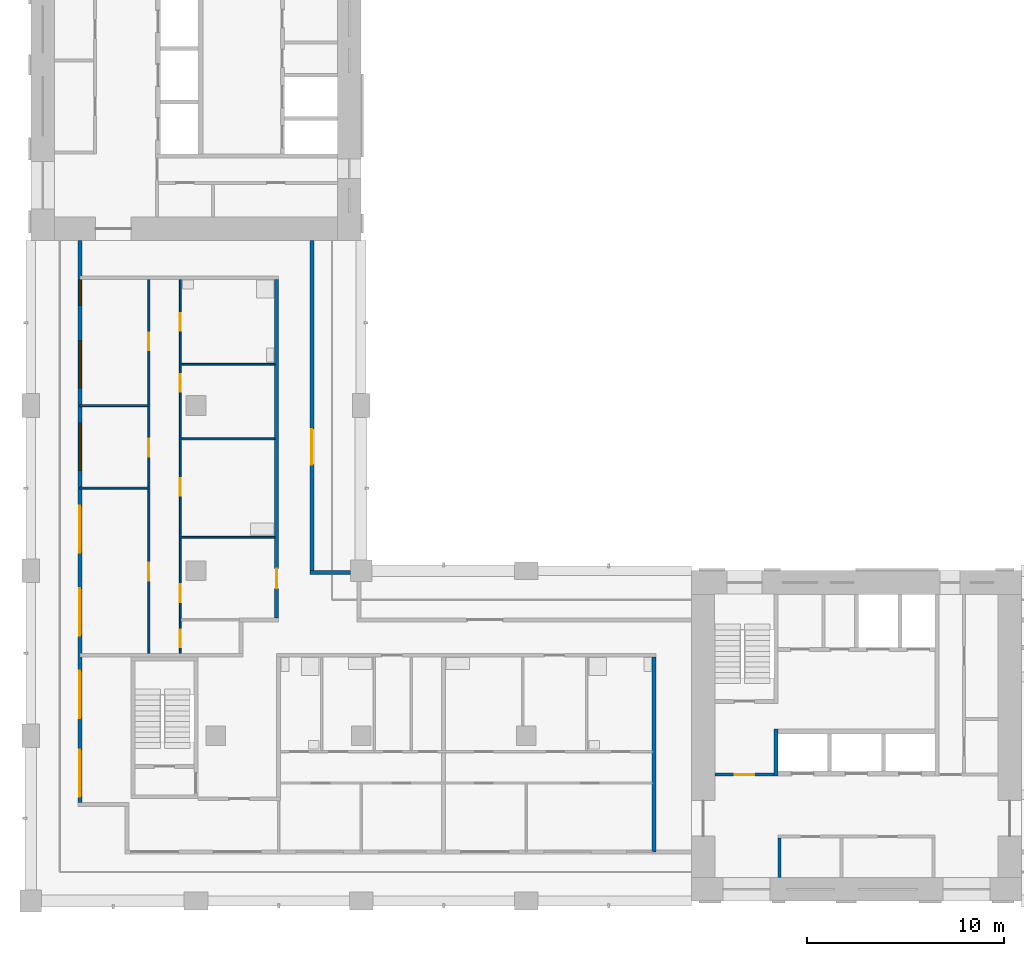
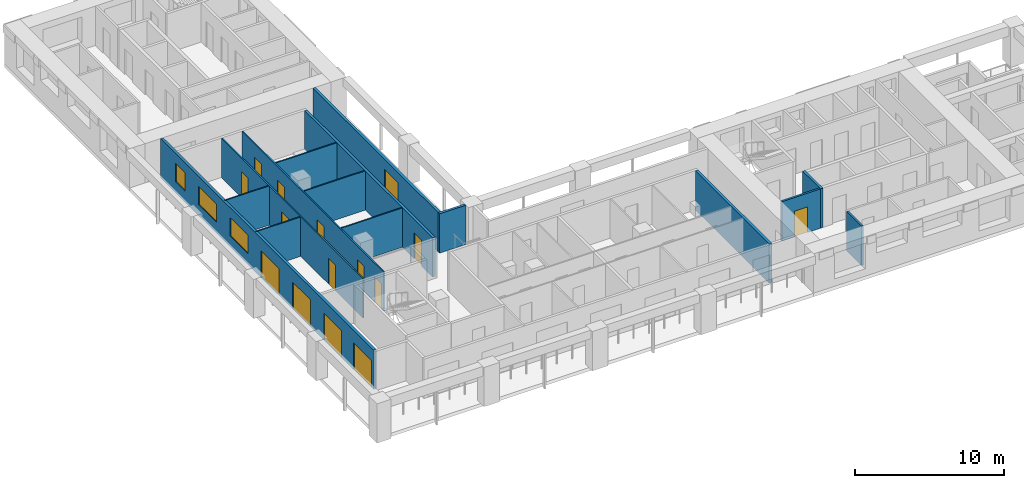
# One storey, part 3 of 11: 15 doors, 15 walls, 3 windows, 18 openings.
"""IFC4 building model written with IfcOpenShell, lengths in metres."""

from ifc_helpers import new_model, si_unit, direction, frame, frame_2d, origin, place, context, subcontext, project, spatial, rectangle, extrude, material, layer, layer_set, type_object, element, fill, save


model = new_model("IFC4")

# Units and contexts
model_context = context("Model", 3, precision=1e-05, world=origin(), true_north=direction((0.0, 1.0)))
body_context = subcontext(model_context, "Body", "Model", "MODEL_VIEW")
ifc_project = project(units=[si_unit("LENGTHUNIT", "METRE"), si_unit("AREAUNIT", "SQUARE_METRE"), si_unit("VOLUMEUNIT", "CUBIC_METRE"), si_unit("PLANEANGLEUNIT", "RADIAN"), si_unit("MASSUNIT", "GRAM", prefix="KILO")], contexts=[model_context])

# Site, building, storey
site_placement = place(None, origin())
site = spatial("IfcSite", under=ifc_project, at=site_placement, CompositionType="ELEMENT")
building_placement = place(site_placement, origin())
building = spatial("IfcBuilding", under=site, at=building_placement, Name="Vermilion Gate Residences", CompositionType="ELEMENT")
storey_placement = place(building_placement, frame((0.0, 0.0, 200.199951171875)))
storey = spatial("IfcBuildingStorey", under=building, at=storey_placement, Name="L52", CompositionType="ELEMENT", Elevation=200.199951171875)

# Wall
ifc_material_1 = material(Name="Masonry blockwork", Category="masonry")
ifc_layer_1 = layer(ifc_material_1, 0.14990234375)
ifc_layer_set_1 = layer_set([ifc_layer_1], Name="BLOCKWORK PARTITION 150 EI 120")
wall_type_1 = type_object("IfcWallType", Name="BLOCKWORK PARTITION 150 EI 120", PredefinedType="PARTITIONING", material=ifc_layer_set_1)
wall_1_placement = place(storey_placement, frame((46.47509765625, 9.60009765625, 0.0), z_axis=(0.0, 0.0, 1.0), x_axis=(0.0, 1.0, 0.0)))
element("IfcWall", 1, at=wall_1_placement, inside=storey, type_object=wall_type_1, Name="Core room partition A52-RW-W", PredefinedType="PARTITIONING", context=body_context, shape_type="SweptSolid", body=[
    extrude(rectangle(XDim=2.0, YDim=0.14990234375, at=frame_2d((1.0, 0.0))), origin(), (0.0, 0.0, 1.0), 3.219970703125),
])

# Wall, opening, door
wall_2_placement = place(storey_placement, frame((43.199951171875, 14.824951171875, 0.0), z_axis=(0.0, 0.0, 1.0), x_axis=(1.0, 0.0, 0.0)))
wall_2 = element("IfcWall", 2, at=wall_2_placement, inside=storey, type_object=wall_type_1, Name="Core room partition A52-VW-S", PredefinedType="PARTITIONING", context=body_context, shape_type="SweptSolid", body=[
    extrude(rectangle(XDim=3.0, YDim=0.14990234375, at=frame_2d((1.5, 0.0))), origin(), (0.0, 0.0, 1.0), 3.219970703125),
])
opening_1_placement = place(wall_2_placement, frame((1.0, 0.0, 0.0)))
opening_1 = element("IfcOpeningElement", 3, at=opening_1_placement, cuts=wall_2, Name="Opening DK52012", PredefinedType="OPENING", context=body_context, shape_type="SweptSolid", body=[
    extrude(rectangle(XDim=1.0, YDim=2.10009765625, at=frame_2d((0.5, 1.050048828125))), frame((0.0, 0.0849609375, 0.0), z_axis=(0.0, -1.0, 0.0), x_axis=(1.0, 0.0, 0.0)), (0.0, 0.0, 1.0), 0.169921875),
])
ifc_material_2 = material(Name="Steel", Category="steel")
door_type_1 = type_object("IfcDoorType", Name="FIRE DOOR FD60 1000 X 2100", OperationType="SINGLE_SWING_LEFT", PredefinedType="DOOR", material=ifc_material_2)
door_1_placement = place(opening_1_placement, frame((1.0, 0.0, 0.0), z_axis=(0.0, 0.0, 1.0), x_axis=(-1.0, 0.0, 0.0)))
door_1 = element("IfcDoor", 4, at=door_1_placement, inside=storey, type_object=door_type_1, Name="Stair vestibule door A52", OperationType="SINGLE_SWING_RIGHT", OverallHeight=2.10009765625, OverallWidth=1.0, PredefinedType="DOOR", context=body_context, shape_type="SweptSolid", body=[
    extrude(rectangle(XDim=1.0, YDim=2.10009765625, at=frame_2d((0.5, 1.050048828125))), frame((0.0, 0.02490234375, 0.0), z_axis=(0.0, -1.0, 0.0), x_axis=(1.0, 0.0, 0.0)), (0.0, 0.0, 1.0), 0.050048828125),
])
fill(opening_1, door_1)

# Wall, openings, doors, windows
ifc_material_3 = material(Name="Insulated steel stud wall with terracotta rainscreen", Category="masonry")
ifc_layer_2 = layer(ifc_material_3, 0.199951171875)
ifc_layer_set_2 = layer_set([ifc_layer_2], Name="EXTERNAL WALL 200 TERRACOTTA RAINSCREEN")
wall_type_2 = type_object("IfcWallType", Name="EXTERNAL WALL 200 TERRACOTTA RAINSCREEN", PredefinedType="SOLIDWALL", material=ifc_layer_set_2)
wall_3_placement = place(storey_placement, frame((10.89990234375, 42.0, 0.0), z_axis=(0.0, 0.0, 1.0), x_axis=(0.0, -1.0, 0.0)))
wall_3 = element("IfcWall", 5, at=wall_3_placement, inside=storey, type_object=wall_type_2, Name="External wall", PredefinedType="SOLIDWALL", context=body_context, shape_type="SweptSolid", body=[
    extrude(rectangle(XDim=28.60009765625, YDim=0.199951171875, at=frame_2d((14.300048828125, 0.0))), origin(), (0.0, 0.0, 1.0), 3.219970703125),
])
opening_2_placement = place(wall_3_placement, frame((25.89990234375, 0.0, 0.0)))
opening_2 = element("IfcOpeningElement", 6, at=opening_2_placement, cuts=wall_3, Name="Opening DE52001", PredefinedType="OPENING", context=body_context, shape_type="SweptSolid", body=[
    extrude(rectangle(XDim=2.39990234375, YDim=2.199951171875, at=frame_2d((1.199951171875, 1.10009765625))), frame((0.0, 0.10986328125, 0.0), z_axis=(0.0, -1.0, 0.0), x_axis=(1.0, 0.0, 0.0)), (0.0, 0.0, 1.0), 0.219970703125),
])
opening_3_placement = place(wall_3_placement, frame((21.89990234375, 0.0, 0.0)))
opening_3 = element("IfcOpeningElement", 7, at=opening_3_placement, cuts=wall_3, Name="Opening DE52002", PredefinedType="OPENING", context=body_context, shape_type="SweptSolid", body=[
    extrude(rectangle(XDim=2.39990234375, YDim=2.199951171875, at=frame_2d((1.199951171875, 1.10009765625))), frame((0.0, 0.10986328125, 0.0), z_axis=(0.0, -1.0, 0.0), x_axis=(1.0, 0.0, 0.0)), (0.0, 0.0, 1.0), 0.219970703125),
])
opening_4_placement = place(wall_3_placement, frame((17.699951171875, 0.0, 0.0)))
opening_4 = element("IfcOpeningElement", 8, at=opening_4_placement, cuts=wall_3, Name="Opening DE52003", PredefinedType="OPENING", context=body_context, shape_type="SweptSolid", body=[
    extrude(rectangle(XDim=2.39990234375, YDim=2.199951171875, at=frame_2d((1.199951171875, 1.10009765625))), frame((0.0, 0.10986328125, 0.0), z_axis=(0.0, -1.0, 0.0), x_axis=(1.0, 0.0, 0.0)), (0.0, 0.0, 1.0), 0.219970703125),
])
opening_5_placement = place(wall_3_placement, frame((13.5, 0.0, 0.0)))
opening_5 = element("IfcOpeningElement", 9, at=opening_5_placement, cuts=wall_3, Name="Opening DE52004", PredefinedType="OPENING", context=body_context, shape_type="SweptSolid", body=[
    extrude(rectangle(XDim=2.39990234375, YDim=2.199951171875, at=frame_2d((1.199951171875, 1.10009765625))), frame((0.0, 0.10986328125, 0.0), z_axis=(0.0, -1.0, 0.0), x_axis=(1.0, 0.0, 0.0)), (0.0, 0.0, 1.0), 0.219970703125),
])
opening_6_placement = place(wall_3_placement, frame((9.300048828125, 0.0, 0.89990234375)))
opening_6 = element("IfcOpeningElement", 10, at=opening_6_placement, cuts=wall_3, Name="Opening WE52005", PredefinedType="OPENING", context=body_context, shape_type="SweptSolid", body=[
    extrude(rectangle(XDim=2.39990234375, YDim=1.5, at=frame_2d((1.199951171875, 0.75))), frame((0.0, 0.10986328125, 0.0), z_axis=(0.0, -1.0, 0.0), x_axis=(1.0, 0.0, 0.0)), (0.0, 0.0, 1.0), 0.219970703125),
])
opening_7_placement = place(wall_3_placement, frame((5.10009765625, 0.0, 0.89990234375)))
opening_7 = element("IfcOpeningElement", 11, at=opening_7_placement, cuts=wall_3, Name="Opening WE52006", PredefinedType="OPENING", context=body_context, shape_type="SweptSolid", body=[
    extrude(rectangle(XDim=2.39990234375, YDim=1.5, at=frame_2d((1.199951171875, 0.75))), frame((0.0, 0.10986328125, 0.0), z_axis=(0.0, -1.0, 0.0), x_axis=(1.0, 0.0, 0.0)), (0.0, 0.0, 1.0), 0.219970703125),
])
opening_8_placement = place(wall_3_placement, frame((2.0, 0.0, 0.89990234375)))
opening_8 = element("IfcOpeningElement", 12, at=opening_8_placement, cuts=wall_3, Name="Opening WE52007", PredefinedType="OPENING", context=body_context, shape_type="SweptSolid", body=[
    extrude(rectangle(XDim=1.300048828125, YDim=1.5, at=frame_2d((0.64990234375, 0.75))), frame((0.0, 0.10986328125, 0.0), z_axis=(0.0, -1.0, 0.0), x_axis=(1.0, 0.0, 0.0)), (0.0, 0.0, 1.0), 0.219970703125),
])
ifc_material_4 = material(Name="Aluminium and clear glass", Category="aluminium")
door_type_2 = type_object("IfcDoorType", Name="SLIDING GLAZED DOOR 2400 X 2200", OperationType="DOUBLE_DOOR_SLIDING", PredefinedType="DOOR", material=ifc_material_4)
door_2_placement = place(opening_2_placement, origin())
door_2 = element("IfcDoor", 13, at=door_2_placement, inside=storey, type_object=door_type_2, Name="Loggia sliding door", OperationType="DOUBLE_DOOR_SLIDING", OverallHeight=2.199951171875, OverallWidth=2.39990234375, PredefinedType="DOOR", context=body_context, shape_type="SweptSolid", body=[
    extrude(rectangle(XDim=2.39990234375, YDim=2.199951171875, at=frame_2d((1.199951171875, 1.10009765625))), frame((0.0, 0.02490234375, 0.0), z_axis=(0.0, -1.0, 0.0), x_axis=(1.0, 0.0, 0.0)), (0.0, 0.0, 1.0), 0.050048828125),
])
fill(opening_2, door_2)
door_3_placement = place(opening_3_placement, origin())
door_3 = element("IfcDoor", 14, at=door_3_placement, inside=storey, type_object=door_type_2, Name="Loggia sliding door", OperationType="DOUBLE_DOOR_SLIDING", OverallHeight=2.199951171875, OverallWidth=2.39990234375, PredefinedType="DOOR", context=body_context, shape_type="SweptSolid", body=[
    extrude(rectangle(XDim=2.39990234375, YDim=2.199951171875, at=frame_2d((1.199951171875, 1.10009765625))), frame((0.0, 0.02490234375, 0.0), z_axis=(0.0, -1.0, 0.0), x_axis=(1.0, 0.0, 0.0)), (0.0, 0.0, 1.0), 0.050048828125),
])
fill(opening_3, door_3)
door_4_placement = place(opening_4_placement, origin())
door_4 = element("IfcDoor", 15, at=door_4_placement, inside=storey, type_object=door_type_2, Name="Loggia sliding door", OperationType="DOUBLE_DOOR_SLIDING", OverallHeight=2.199951171875, OverallWidth=2.39990234375, PredefinedType="DOOR", context=body_context, shape_type="SweptSolid", body=[
    extrude(rectangle(XDim=2.39990234375, YDim=2.199951171875, at=frame_2d((1.199951171875, 1.10009765625))), frame((0.0, 0.02490234375, 0.0), z_axis=(0.0, -1.0, 0.0), x_axis=(1.0, 0.0, 0.0)), (0.0, 0.0, 1.0), 0.050048828125),
])
fill(opening_4, door_4)
door_5_placement = place(opening_5_placement, origin())
door_5 = element("IfcDoor", 16, at=door_5_placement, inside=storey, type_object=door_type_2, Name="Loggia sliding door", OperationType="DOUBLE_DOOR_SLIDING", OverallHeight=2.199951171875, OverallWidth=2.39990234375, PredefinedType="DOOR", context=body_context, shape_type="SweptSolid", body=[
    extrude(rectangle(XDim=2.39990234375, YDim=2.199951171875, at=frame_2d((1.199951171875, 1.10009765625))), frame((0.0, 0.02490234375, 0.0), z_axis=(0.0, -1.0, 0.0), x_axis=(1.0, 0.0, 0.0)), (0.0, 0.0, 1.0), 0.050048828125),
])
fill(opening_5, door_5)
ifc_material_5 = material(Name="Aluminium and clear glass", Category="aluminium")
window_type_1 = type_object("IfcWindowType", Name="WINDOW 1300 X 1500", PartitioningType="SINGLE_PANEL", PredefinedType="WINDOW", material=ifc_material_5)
window_1_placement = place(opening_8_placement, origin())
window_1 = element("IfcWindow", 17, at=window_1_placement, inside=storey, type_object=window_type_1, Name="Window", OverallHeight=1.5, OverallWidth=1.300048828125, PartitioningType="SINGLE_PANEL", PredefinedType="WINDOW", context=body_context, shape_type="SweptSolid", body=[
    extrude(rectangle(XDim=1.300048828125, YDim=1.5, at=frame_2d((0.64990234375, 0.75))), frame((0.0, 0.030029296875, 0.0), z_axis=(0.0, -1.0, 0.0), x_axis=(1.0, 0.0, 0.0)), (0.0, 0.0, 1.0), 0.06005859375),
])
fill(opening_8, window_1)
ifc_material_6 = material(Name="Aluminium and clear glass", Category="aluminium")
window_type_2 = type_object("IfcWindowType", Name="WINDOW 2400 X 1500", PartitioningType="SINGLE_PANEL", PredefinedType="WINDOW", material=ifc_material_6)
window_2_placement = place(opening_6_placement, origin())
window_2 = element("IfcWindow", 18, at=window_2_placement, inside=storey, type_object=window_type_2, Name="Window", OverallHeight=1.5, OverallWidth=2.39990234375, PartitioningType="SINGLE_PANEL", PredefinedType="WINDOW", context=body_context, shape_type="SweptSolid", body=[
    extrude(rectangle(XDim=2.39990234375, YDim=1.5, at=frame_2d((1.199951171875, 0.75))), frame((0.0, 0.030029296875, 0.0), z_axis=(0.0, -1.0, 0.0), x_axis=(1.0, 0.0, 0.0)), (0.0, 0.0, 1.0), 0.06005859375),
])
fill(opening_6, window_2)
window_3_placement = place(opening_7_placement, origin())
window_3 = element("IfcWindow", 19, at=window_3_placement, inside=storey, type_object=window_type_2, Name="Window", OverallHeight=1.5, OverallWidth=2.39990234375, PartitioningType="SINGLE_PANEL", PredefinedType="WINDOW", context=body_context, shape_type="SweptSolid", body=[
    extrude(rectangle(XDim=2.39990234375, YDim=1.5, at=frame_2d((1.199951171875, 0.75))), frame((0.0, 0.030029296875, 0.0), z_axis=(0.0, -1.0, 0.0), x_axis=(1.0, 0.0, 0.0)), (0.0, 0.0, 1.0), 0.06005859375),
])
fill(opening_7, window_3)

# Wall
wall_4_placement = place(storey_placement, frame((24.64990234375, 25.10009765625, 0.0), z_axis=(0.0, 0.0, 1.0), x_axis=(-1.0, 0.0, 0.0)))
element("IfcWall", 20, at=wall_4_placement, inside=storey, type_object=wall_type_2, Name="External wall", PredefinedType="SOLIDWALL", context=body_context, shape_type="SweptSolid", body=[
    extrude(rectangle(XDim=2.0498046875, YDim=0.199951171875, at=frame_2d((1.02490234375, 0.0))), origin(), (0.0, 0.0, 1.0), 3.219970703125),
])

# Wall, opening, door
wall_5_placement = place(storey_placement, frame((22.699951171875, 25.199951171875, 0.0), z_axis=(0.0, 0.0, 1.0), x_axis=(0.0, 1.0, 0.0)))
wall_5 = element("IfcWall", 21, at=wall_5_placement, inside=storey, type_object=wall_type_2, Name="External wall", PredefinedType="SOLIDWALL", context=body_context, shape_type="SweptSolid", body=[
    extrude(rectangle(XDim=16.800048828125, YDim=0.199951171875, at=frame_2d((8.39990234375, 0.0))), origin(), (0.0, 0.0, 1.0), 3.219970703125),
])
opening_9_placement = place(wall_5_placement, frame((5.39990234375, 0.0, 0.0)))
opening_9 = element("IfcOpeningElement", 22, at=opening_9_placement, cuts=wall_5, Name="Opening DE52021", PredefinedType="OPENING", context=body_context, shape_type="SweptSolid", body=[
    extrude(rectangle(XDim=1.800048828125, YDim=2.39990234375, at=frame_2d((0.89990234375, 1.199951171875))), frame((0.0, 0.10986328125, 0.0), z_axis=(0.0, -1.0, 0.0), x_axis=(1.0, 0.0, 0.0)), (0.0, 0.0, 1.0), 0.219970703125),
])
ifc_material_7 = material(Name="Aluminium and clear glass", Category="aluminium")
door_type_3 = type_object("IfcDoorType", Name="GLAZED EXTERNAL DOOR 1800 X 2400", OperationType="DOUBLE_DOOR_SINGLE_SWING", PredefinedType="DOOR", material=ifc_material_7)
door_6_placement = place(opening_9_placement, frame((1.800048828125, 0.0, 0.0), z_axis=(0.0, 0.0, 1.0), x_axis=(-1.0, 0.0, 0.0)))
door_6 = element("IfcDoor", 23, at=door_6_placement, inside=storey, type_object=door_type_3, Name="Gallery door", OperationType="DOUBLE_DOOR_SINGLE_SWING", OverallHeight=2.39990234375, OverallWidth=1.800048828125, PredefinedType="DOOR", context=body_context, shape_type="SweptSolid", body=[
    extrude(rectangle(XDim=1.800048828125, YDim=2.39990234375, at=frame_2d((0.89990234375, 1.199951171875))), frame((0.0, 0.02490234375, 0.0), z_axis=(0.0, -1.0, 0.0), x_axis=(1.0, 0.0, 0.0)), (0.0, 0.0, 1.0), 0.050048828125),
])
fill(opening_9, door_6)

# Walls
ifc_material_8 = material(Name="Plasterboard on steel studs", Category="steel")
ifc_layer_3 = layer(ifc_material_8, 0.10009765625)
ifc_layer_set_3 = layer_set([ifc_layer_3], Name="PARTITION 100")
wall_type_3 = type_object("IfcWallType", Name="PARTITION 100", PredefinedType="PARTITIONING", material=ifc_layer_set_3)
wall_6_placement = place(storey_placement, frame((16.050048828125, 26.89990234375, 0.0), z_axis=(0.0, 0.0, 1.0), x_axis=(1.0, 0.0, 0.0)))
element("IfcWall", 24, at=wall_6_placement, inside=storey, type_object=wall_type_3, Name="Partition", PredefinedType="PARTITIONING", context=body_context, shape_type="SweptSolid", body=[
    extrude(rectangle(XDim=4.75, YDim=0.10009765625, at=frame_2d((2.375, 0.0))), origin(), (0.0, 0.0, 1.0), 3.219970703125),
])
wall_7_placement = place(storey_placement, frame((10.89990234375, 29.39990234375, 0.0), z_axis=(0.0, 0.0, 1.0), x_axis=(1.0, 0.0, 0.0)))
element("IfcWall", 25, at=wall_7_placement, inside=storey, type_object=wall_type_3, Name="Partition", PredefinedType="PARTITIONING", context=body_context, shape_type="SweptSolid", body=[
    extrude(rectangle(XDim=3.4501953125, YDim=0.10009765625, at=frame_2d((1.72509765625, 0.0))), origin(), (0.0, 0.0, 1.0), 3.219970703125),
])
wall_8_placement = place(storey_placement, frame((16.050048828125, 31.89990234375, 0.0), z_axis=(0.0, 0.0, 1.0), x_axis=(1.0, 0.0, 0.0)))
element("IfcWall", 26, at=wall_8_placement, inside=storey, type_object=wall_type_3, Name="Partition", PredefinedType="PARTITIONING", context=body_context, shape_type="SweptSolid", body=[
    extrude(rectangle(XDim=4.75, YDim=0.10009765625, at=frame_2d((2.375, 0.0))), origin(), (0.0, 0.0, 1.0), 3.219970703125),
])
wall_9_placement = place(storey_placement, frame((10.89990234375, 33.60009765625, 0.0), z_axis=(0.0, 0.0, 1.0), x_axis=(1.0, 0.0, 0.0)))
element("IfcWall", 27, at=wall_9_placement, inside=storey, type_object=wall_type_3, Name="Partition", PredefinedType="PARTITIONING", context=body_context, shape_type="SweptSolid", body=[
    extrude(rectangle(XDim=3.4501953125, YDim=0.10009765625, at=frame_2d((1.72509765625, 0.0))), origin(), (0.0, 0.0, 1.0), 3.219970703125),
])
wall_10_placement = place(storey_placement, frame((16.050048828125, 35.699951171875, 0.0), z_axis=(0.0, 0.0, 1.0), x_axis=(1.0, 0.0, 0.0)))
element("IfcWall", 28, at=wall_10_placement, inside=storey, type_object=wall_type_3, Name="Partition", PredefinedType="PARTITIONING", context=body_context, shape_type="SweptSolid", body=[
    extrude(rectangle(XDim=4.75, YDim=0.10009765625, at=frame_2d((2.375, 0.0))), origin(), (0.0, 0.0, 1.0), 3.219970703125),
])

# Wall, openings, doors
wall_11_placement = place(storey_placement, frame((14.39990234375, 21.0, 0.0), z_axis=(0.0, 0.0, 1.0), x_axis=(0.0, 1.0, 0.0)))
wall_11 = element("IfcWall", 29, at=wall_11_placement, inside=storey, type_object=wall_type_3, Name="Partition", PredefinedType="PARTITIONING", context=body_context, shape_type="SweptSolid", body=[
    extrude(rectangle(XDim=19.0, YDim=0.10009765625, at=frame_2d((9.5, 0.0))), origin(), (0.0, 0.0, 1.0), 3.219970703125),
])
opening_10_placement = place(wall_11_placement, frame((3.699951171875, 0.0, 0.0)))
opening_10 = element("IfcOpeningElement", 30, at=opening_10_placement, cuts=wall_11, Name="Opening DA52015", PredefinedType="OPENING", context=body_context, shape_type="SweptSolid", body=[
    extrude(rectangle(XDim=0.89990234375, YDim=2.10009765625, at=frame_2d((0.449951171875, 1.050048828125))), frame((0.0, 0.06005859375, 0.0), z_axis=(0.0, -1.0, 0.0), x_axis=(1.0, 0.0, 0.0)), (0.0, 0.0, 1.0), 0.1201171875),
])
opening_11_placement = place(wall_11_placement, frame((10.0, 0.0, 0.0)))
opening_11 = element("IfcOpeningElement", 31, at=opening_11_placement, cuts=wall_11, Name="Opening DA52016", PredefinedType="OPENING", context=body_context, shape_type="SweptSolid", body=[
    extrude(rectangle(XDim=0.89990234375, YDim=2.10009765625, at=frame_2d((0.449951171875, 1.050048828125))), frame((0.0, 0.06005859375, 0.0), z_axis=(0.0, -1.0, 0.0), x_axis=(1.0, 0.0, 0.0)), (0.0, 0.0, 1.0), 0.1201171875),
])
opening_12_placement = place(wall_11_placement, frame((15.39990234375, 0.0, 0.0)))
opening_12 = element("IfcOpeningElement", 32, at=opening_12_placement, cuts=wall_11, Name="Opening DA52017", PredefinedType="OPENING", context=body_context, shape_type="SweptSolid", body=[
    extrude(rectangle(XDim=0.89990234375, YDim=2.10009765625, at=frame_2d((0.449951171875, 1.050048828125))), frame((0.0, 0.06005859375, 0.0), z_axis=(0.0, -1.0, 0.0), x_axis=(1.0, 0.0, 0.0)), (0.0, 0.0, 1.0), 0.1201171875),
])
ifc_material_9 = material(Name="Timber", Category="wood")
door_type_4 = type_object("IfcDoorType", Name="INTERIOR DOOR 900 X 2100", OperationType="SINGLE_SWING_LEFT", PredefinedType="DOOR", material=ifc_material_9)
door_7_placement = place(opening_10_placement, origin())
door_7 = element("IfcDoor", 33, at=door_7_placement, inside=storey, type_object=door_type_4, Name="Interior door", OperationType="SINGLE_SWING_LEFT", OverallHeight=2.10009765625, OverallWidth=0.89990234375, PredefinedType="DOOR", context=body_context, shape_type="SweptSolid", body=[
    extrude(rectangle(XDim=0.89990234375, YDim=2.10009765625, at=frame_2d((0.449951171875, 1.050048828125))), frame((0.0, 0.02490234375, 0.0), z_axis=(0.0, -1.0, 0.0), x_axis=(1.0, 0.0, 0.0)), (0.0, 0.0, 1.0), 0.050048828125),
])
fill(opening_10, door_7)
door_8_placement = place(opening_11_placement, origin())
door_8 = element("IfcDoor", 34, at=door_8_placement, inside=storey, type_object=door_type_4, Name="Interior door", OperationType="SINGLE_SWING_LEFT", OverallHeight=2.10009765625, OverallWidth=0.89990234375, PredefinedType="DOOR", context=body_context, shape_type="SweptSolid", body=[
    extrude(rectangle(XDim=0.89990234375, YDim=2.10009765625, at=frame_2d((0.449951171875, 1.050048828125))), frame((0.0, 0.02490234375, 0.0), z_axis=(0.0, -1.0, 0.0), x_axis=(1.0, 0.0, 0.0)), (0.0, 0.0, 1.0), 0.050048828125),
])
fill(opening_11, door_8)
door_9_placement = place(opening_12_placement, origin())
door_9 = element("IfcDoor", 35, at=door_9_placement, inside=storey, type_object=door_type_4, Name="Interior door", OperationType="SINGLE_SWING_RIGHT", OverallHeight=2.10009765625, OverallWidth=0.89990234375, PredefinedType="DOOR", context=body_context, shape_type="SweptSolid", body=[
    extrude(rectangle(XDim=0.89990234375, YDim=2.10009765625, at=frame_2d((0.449951171875, 1.050048828125))), frame((0.0, 0.02490234375, 0.0), z_axis=(0.0, -1.0, 0.0), x_axis=(1.0, 0.0, 0.0)), (0.0, 0.0, 1.0), 0.050048828125),
])
fill(opening_12, door_9)

wall_12_placement = place(storey_placement, frame((16.0, 21.0, 0.0), z_axis=(0.0, 0.0, 1.0), x_axis=(0.0, 1.0, 0.0)))
wall_12 = element("IfcWall", 36, at=wall_12_placement, inside=storey, type_object=wall_type_3, Name="Partition", PredefinedType="PARTITIONING", context=body_context, shape_type="SweptSolid", body=[
    extrude(rectangle(XDim=19.0, YDim=0.10009765625, at=frame_2d((9.5, 0.0))), origin(), (0.0, 0.0, 1.0), 3.219970703125),
])
opening_13_placement = place(wall_12_placement, frame((2.60009765625, 0.0, 0.0)))
opening_13 = element("IfcOpeningElement", 37, at=opening_13_placement, cuts=wall_12, Name="Opening DA52018", PredefinedType="OPENING", context=body_context, shape_type="SweptSolid", body=[
    extrude(rectangle(XDim=0.89990234375, YDim=2.10009765625, at=frame_2d((0.449951171875, 1.050048828125))), frame((0.0, 0.06005859375, 0.0), z_axis=(0.0, -1.0, 0.0), x_axis=(1.0, 0.0, 0.0)), (0.0, 0.0, 1.0), 0.1201171875),
])
opening_14_placement = place(wall_12_placement, frame((0.300048828125, 0.0, 0.0)))
opening_14 = element("IfcOpeningElement", 38, at=opening_14_placement, cuts=wall_12, Name="Opening DA52019", PredefinedType="OPENING", context=body_context, shape_type="SweptSolid", body=[
    extrude(rectangle(XDim=0.89990234375, YDim=2.10009765625, at=frame_2d((0.449951171875, 1.050048828125))), frame((0.0, 0.06005859375, 0.0), z_axis=(0.0, -1.0, 0.0), x_axis=(1.0, 0.0, 0.0)), (0.0, 0.0, 1.0), 0.1201171875),
])
opening_15_placement = place(wall_12_placement, frame((8.0, 0.0, 0.0)))
opening_15 = element("IfcOpeningElement", 39, at=opening_15_placement, cuts=wall_12, Name="Opening DA52020", PredefinedType="OPENING", context=body_context, shape_type="SweptSolid", body=[
    extrude(rectangle(XDim=0.89990234375, YDim=2.10009765625, at=frame_2d((0.449951171875, 1.050048828125))), frame((0.0, 0.06005859375, 0.0), z_axis=(0.0, -1.0, 0.0), x_axis=(1.0, 0.0, 0.0)), (0.0, 0.0, 1.0), 0.1201171875),
])
opening_16_placement = place(wall_12_placement, frame((13.300048828125, 0.0, 0.0)))
opening_16 = element("IfcOpeningElement", 40, at=opening_16_placement, cuts=wall_12, Name="Opening DA52021", PredefinedType="OPENING", context=body_context, shape_type="SweptSolid", body=[
    extrude(rectangle(XDim=0.89990234375, YDim=2.10009765625, at=frame_2d((0.449951171875, 1.050048828125))), frame((0.0, 0.06005859375, 0.0), z_axis=(0.0, -1.0, 0.0), x_axis=(1.0, 0.0, 0.0)), (0.0, 0.0, 1.0), 0.1201171875),
])
opening_17_placement = place(wall_12_placement, frame((16.39990234375, 0.0, 0.0)))
opening_17 = element("IfcOpeningElement", 41, at=opening_17_placement, cuts=wall_12, Name="Opening DA52022", PredefinedType="OPENING", context=body_context, shape_type="SweptSolid", body=[
    extrude(rectangle(XDim=0.89990234375, YDim=2.10009765625, at=frame_2d((0.449951171875, 1.050048828125))), frame((0.0, 0.06005859375, 0.0), z_axis=(0.0, -1.0, 0.0), x_axis=(1.0, 0.0, 0.0)), (0.0, 0.0, 1.0), 0.1201171875),
])
door_10_placement = place(opening_13_placement, frame((0.89990234375, 0.0, 0.0), z_axis=(0.0, 0.0, 1.0), x_axis=(-1.0, 0.0, 0.0)))
door_10 = element("IfcDoor", 42, at=door_10_placement, inside=storey, type_object=door_type_4, Name="Interior door", OperationType="SINGLE_SWING_RIGHT", OverallHeight=2.10009765625, OverallWidth=0.89990234375, PredefinedType="DOOR", context=body_context, shape_type="SweptSolid", body=[
    extrude(rectangle(XDim=0.89990234375, YDim=2.10009765625, at=frame_2d((0.449951171875, 1.050048828125))), frame((0.0, 0.02490234375, 0.0), z_axis=(0.0, -1.0, 0.0), x_axis=(1.0, 0.0, 0.0)), (0.0, 0.0, 1.0), 0.050048828125),
])
fill(opening_13, door_10)
door_11_placement = place(opening_14_placement, frame((0.89990234375, 0.0, 0.0), z_axis=(0.0, 0.0, 1.0), x_axis=(-1.0, 0.0, 0.0)))
door_11 = element("IfcDoor", 43, at=door_11_placement, inside=storey, type_object=door_type_4, Name="Interior door", OperationType="SINGLE_SWING_RIGHT", OverallHeight=2.10009765625, OverallWidth=0.89990234375, PredefinedType="DOOR", context=body_context, shape_type="SweptSolid", body=[
    extrude(rectangle(XDim=0.89990234375, YDim=2.10009765625, at=frame_2d((0.449951171875, 1.050048828125))), frame((0.0, 0.02490234375, 0.0), z_axis=(0.0, -1.0, 0.0), x_axis=(1.0, 0.0, 0.0)), (0.0, 0.0, 1.0), 0.050048828125),
])
fill(opening_14, door_11)
door_12_placement = place(opening_15_placement, frame((0.89990234375, 0.0, 0.0), z_axis=(0.0, 0.0, 1.0), x_axis=(-1.0, 0.0, 0.0)))
door_12 = element("IfcDoor", 44, at=door_12_placement, inside=storey, type_object=door_type_4, Name="Interior door", OperationType="SINGLE_SWING_LEFT", OverallHeight=2.10009765625, OverallWidth=0.89990234375, PredefinedType="DOOR", context=body_context, shape_type="SweptSolid", body=[
    extrude(rectangle(XDim=0.89990234375, YDim=2.10009765625, at=frame_2d((0.449951171875, 1.050048828125))), frame((0.0, 0.02490234375, 0.0), z_axis=(0.0, -1.0, 0.0), x_axis=(1.0, 0.0, 0.0)), (0.0, 0.0, 1.0), 0.050048828125),
])
fill(opening_15, door_12)
door_13_placement = place(opening_16_placement, frame((0.89990234375, 0.0, 0.0), z_axis=(0.0, 0.0, 1.0), x_axis=(-1.0, 0.0, 0.0)))
door_13 = element("IfcDoor", 45, at=door_13_placement, inside=storey, type_object=door_type_4, Name="Interior door", OperationType="SINGLE_SWING_LEFT", OverallHeight=2.10009765625, OverallWidth=0.89990234375, PredefinedType="DOOR", context=body_context, shape_type="SweptSolid", body=[
    extrude(rectangle(XDim=0.89990234375, YDim=2.10009765625, at=frame_2d((0.449951171875, 1.050048828125))), frame((0.0, 0.02490234375, 0.0), z_axis=(0.0, -1.0, 0.0), x_axis=(1.0, 0.0, 0.0)), (0.0, 0.0, 1.0), 0.050048828125),
])
fill(opening_16, door_13)
door_14_placement = place(opening_17_placement, frame((0.89990234375, 0.0, 0.0), z_axis=(0.0, 0.0, 1.0), x_axis=(-1.0, 0.0, 0.0)))
door_14 = element("IfcDoor", 46, at=door_14_placement, inside=storey, type_object=door_type_4, Name="Interior door", OperationType="SINGLE_SWING_LEFT", OverallHeight=2.10009765625, OverallWidth=0.89990234375, PredefinedType="DOOR", context=body_context, shape_type="SweptSolid", body=[
    extrude(rectangle(XDim=0.89990234375, YDim=2.10009765625, at=frame_2d((0.449951171875, 1.050048828125))), frame((0.0, 0.02490234375, 0.0), z_axis=(0.0, -1.0, 0.0), x_axis=(1.0, 0.0, 0.0)), (0.0, 0.0, 1.0), 0.050048828125),
])
fill(opening_17, door_14)

# Wall, opening, door
ifc_material_10 = material(Name="Fire-rated plasterboard on steel studs", Category="steel")
ifc_layer_4 = layer(ifc_material_10, 0.199951171875)
ifc_layer_set_4 = layer_set([ifc_layer_4], Name="PARTY WALL 200 EI 120")
wall_type_4 = type_object("IfcWallType", Name="PARTY WALL 200 EI 120", PredefinedType="PARTITIONING", material=ifc_layer_set_4)
wall_13_placement = place(storey_placement, frame((20.89990234375, 22.800048828125, 0.0), z_axis=(0.0, 0.0, 1.0), x_axis=(0.0, 1.0, 0.0)))
wall_13 = element("IfcWall", 47, at=wall_13_placement, inside=storey, type_object=wall_type_4, Name="Party and corridor wall", PredefinedType="PARTITIONING", context=body_context, shape_type="SweptSolid", body=[
    extrude(rectangle(XDim=17.199951171875, YDim=0.199951171875, at=frame_2d((8.60009765625, 0.0))), origin(), (0.0, 0.0, 1.0), 3.219970703125),
])
opening_18_placement = place(wall_13_placement, frame((1.5, 0.0, 0.0)))
opening_18 = element("IfcOpeningElement", 48, at=opening_18_placement, cuts=wall_13, Name="Opening DA52023", PredefinedType="OPENING", context=body_context, shape_type="SweptSolid", body=[
    extrude(rectangle(XDim=1.0, YDim=2.10009765625, at=frame_2d((0.5, 1.050048828125))), frame((0.0, 0.10986328125, 0.0), z_axis=(0.0, -1.0, 0.0), x_axis=(1.0, 0.0, 0.0)), (0.0, 0.0, 1.0), 0.219970703125),
])
ifc_material_11 = material(Name="Steel", Category="steel")
door_type_5 = type_object("IfcDoorType", Name="ENTRANCE DOOR 1000 X 2100 FD30", OperationType="SINGLE_SWING_LEFT", PredefinedType="DOOR", material=ifc_material_11)
door_15_placement = place(opening_18_placement, origin())
door_15 = element("IfcDoor", 49, at=door_15_placement, inside=storey, type_object=door_type_5, Name="Entrance door", OperationType="SINGLE_SWING_LEFT", OverallHeight=2.10009765625, OverallWidth=1.0, PredefinedType="DOOR", context=body_context, shape_type="SweptSolid", body=[
    extrude(rectangle(XDim=1.0, YDim=2.10009765625, at=frame_2d((0.5, 1.050048828125))), frame((0.0, 0.02490234375, 0.0), z_axis=(0.0, -1.0, 0.0), x_axis=(1.0, 0.0, 0.0)), (0.0, 0.0, 1.0), 0.050048828125),
])
fill(opening_18, door_15)

# Walls
wall_14_placement = place(storey_placement, frame((40.10009765625, 10.89990234375, 0.0), z_axis=(0.0, 0.0, 1.0), x_axis=(0.0, 1.0, 0.0)))
element("IfcWall", 50, at=wall_14_placement, inside=storey, type_object=wall_type_4, Name="Party and corridor wall", PredefinedType="PARTITIONING", context=body_context, shape_type="SweptSolid", body=[
    extrude(rectangle(XDim=9.900146484375, YDim=0.199951171875, at=frame_2d((4.9501953125, 0.0))), origin(), (0.0, 0.0, 1.0), 3.219970703125),
])
ifc_material_12 = material(Name="Concrete C60", Category="concrete")
ifc_layer_5 = layer(ifc_material_12, 0.199951171875)
ifc_layer_set_5 = layer_set([ifc_layer_5], Name="RC CORE INTERNAL WALL 200 C60")
wall_type_5 = type_object("IfcWallType", Name="RC CORE INTERNAL WALL 200 C60", PredefinedType="SHEAR", material=ifc_layer_set_5)
wall_15_placement = place(storey_placement, frame((46.300048828125, 14.75, 0.0), z_axis=(0.0, 0.0, 1.0), x_axis=(0.0, 1.0, 0.0)))
element("IfcWall", 51, at=wall_15_placement, inside=storey, type_object=wall_type_5, Name="Core internal wall A52-WDIV1", PredefinedType="SHEAR", context=body_context, shape_type="SweptSolid", body=[
    extrude(rectangle(XDim=2.39990234375, YDim=0.199951171875, at=frame_2d((1.199951171875, 0.0))), origin(), (0.0, 0.0, 1.0), 3.219970703125),
])

save(model, "model.ifc")
